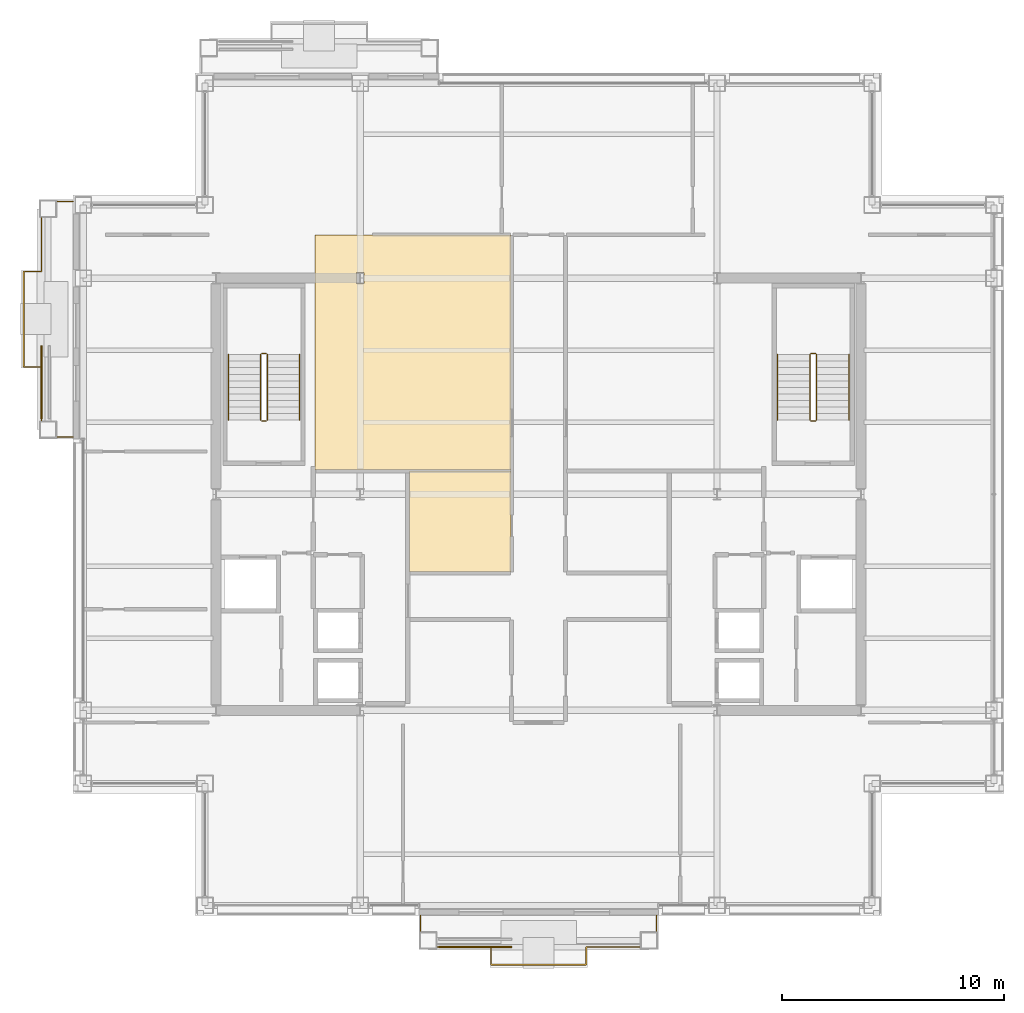
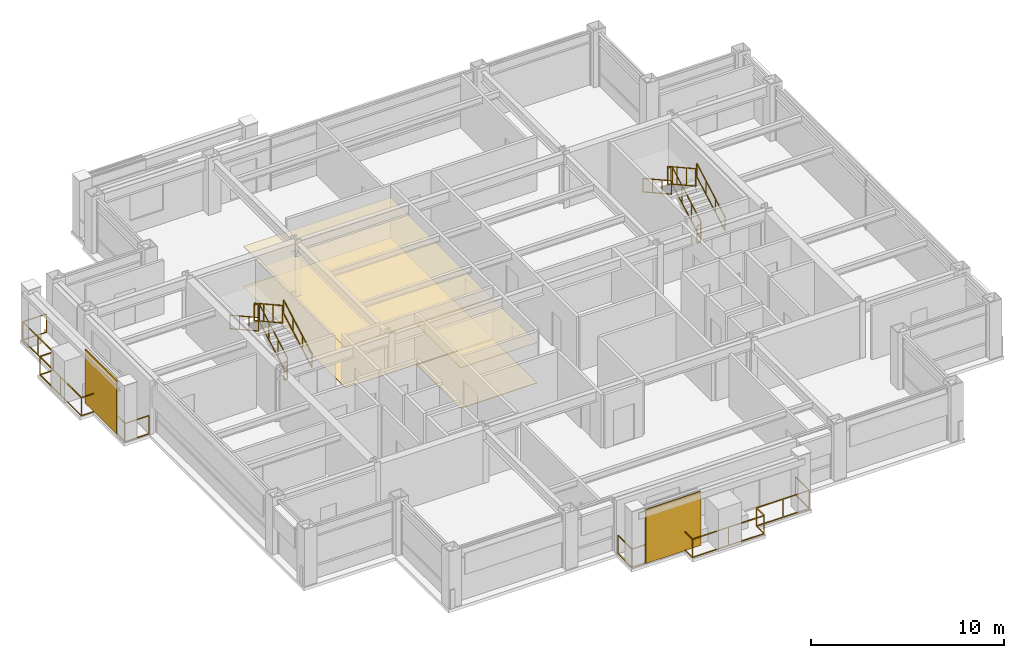
# One storey, part 29 of 31: 14 railings, 4 coverings, 2 shading devices.
"""IFC4 building model written with IfcOpenShell, lengths in metres."""

from ifc_helpers import new_model, si_unit, direction, frame, origin, origin_2d, place, context, subcontext, project, spatial, polyline, rectangle, outline, extrude, material, layer, layer_set, type_object, element, save


model = new_model("IFC4")

# Units and contexts
model_context = context("Model", 3, precision=1e-05, world=origin(), true_north=direction((0.0, 1.0)))
body_context = subcontext(model_context, "Body", "Model", "MODEL_VIEW")
ifc_project = project(units=[si_unit("LENGTHUNIT", "METRE"), si_unit("AREAUNIT", "SQUARE_METRE"), si_unit("VOLUMEUNIT", "CUBIC_METRE"), si_unit("PLANEANGLEUNIT", "RADIAN"), si_unit("MASSUNIT", "GRAM", prefix="KILO")], contexts=[model_context])

# Site, building, storey
site_placement = place(None, origin())
site = spatial("IfcSite", under=ifc_project, at=site_placement, CompositionType="ELEMENT")
building_placement = place(site_placement, origin())
building = spatial("IfcBuilding", under=site, at=building_placement, Name="Brelmoor Portico Tower", CompositionType="ELEMENT")
storey_placement = place(building_placement, frame((0.0, 0.0, 176.699951171875)))
storey = spatial("IfcBuildingStorey", under=building, at=storey_placement, Name="L46", CompositionType="ELEMENT", Elevation=176.699951171875)

# Coverings
ifc_material_1 = material(Name="Powder-Coated Aluminium Acoustic Baffle Ceiling", Category="aluminium")
ifc_layer_1 = layer(ifc_material_1, 0.044921875)
ifc_layer_set_1 = layer_set([ifc_layer_1], Name="Powder-Coated Aluminium Acoustic Baffle Ceiling")
covering_type_1 = type_object("IfcCoveringType", Name="CV-CEIL-BAFFLE-45", PredefinedType="CEILING", material=ifc_layer_set_1)
covering_1_placement = place(storey_placement, frame((0.0, 0.0, 2.550048828125)))
element("IfcCovering", 1, at=covering_1_placement, inside=storey, type_object=covering_type_1, Name="L46 Acoustic Suspended Ceiling 02", PredefinedType="CEILING", context=body_context, shape_type="SweptSolid", body=[
    extrude(outline(polyline([(-5.820068359375, -3.510009765625), (-5.820068359375, 1.0400390625), (-1.239990234375, 1.0400390625), (-1.239990234375, -3.510009765625), (-5.820068359375, -3.510009765625)])), origin(), (0.0, 0.0, 1.0), 0.044921875),
])
ifc_material_2 = material(Name="Micro-Perforated Aluminium Clip-In Ceiling", Category="aluminium")
ifc_layer_2 = layer(ifc_material_2, 0.031982421875)
ifc_layer_set_2 = layer_set([ifc_layer_2], Name="Micro-Perforated Aluminium Clip-In Ceiling")
covering_type_2 = type_object("IfcCoveringType", Name="CV-CEIL-METAL-32", PredefinedType="CEILING", material=ifc_layer_set_2)
covering_2_placement = place(storey_placement, frame((0.0, 0.0, 2.550048828125)))
element("IfcCovering", 2, at=covering_2_placement, inside=storey, type_object=covering_type_2, Name="L46 Acoustic Suspended Ceiling 01", PredefinedType="CEILING", context=body_context, shape_type="SweptSolid", body=[
    extrude(outline(polyline([(-10.080078125, 11.68994140625), (-1.239990234375, 11.68994140625), (-1.239990234375, 1.090087890625), (-10.080078125, 1.090087890625), (-10.080078125, 11.68994140625)]), holes=[polyline([(-7.875, 9.5), (-7.875, 10.0), (-8.22509765625, 10.0), (-8.22509765625, 9.5), (-7.875, 9.5)])]), origin(), (0.0, 0.0, 1.0), 0.031982421875),
])
ifc_material_3 = material(Name="Rectified Vitrified Porcelain Floor Tile", Category="ceramic")
ifc_layer_3 = layer(ifc_material_3, 0.01806640625)
ifc_layer_set_3 = layer_set([ifc_layer_3], Name="Rectified Vitrified Porcelain Floor Tile")
covering_type_3 = type_object("IfcCoveringType", Name="CV-FLR-PORCELAIN-18", PredefinedType="FLOORING", material=ifc_layer_set_3)
covering_3_placement = place(storey_placement, origin())
element("IfcCovering", 3, at=covering_3_placement, inside=storey, type_object=covering_type_3, Name="L46 Architectural Floor Finish 01", PredefinedType="FLOORING", context=body_context, shape_type="SweptSolid", body=[
    extrude(outline(polyline([(-10.080078125, 11.68994140625), (-1.239990234375, 11.68994140625), (-1.239990234375, 1.090087890625), (-10.080078125, 1.090087890625), (-10.080078125, 11.68994140625)]), holes=[polyline([(-7.875, 9.5), (-7.875, 10.0), (-8.22509765625, 10.0), (-8.22509765625, 9.5), (-7.875, 9.5)])]), origin(), (0.0, 0.0, 1.0), 0.01806640625),
])
ifc_material_4 = material(Name="Engineered Quarter-Sawn Oak Parquet Flooring", Category="timber")
ifc_layer_4 = layer(ifc_material_4, 0.02197265625)
ifc_layer_set_4 = layer_set([ifc_layer_4], Name="Engineered Quarter-Sawn Oak Parquet Flooring")
covering_type_4 = type_object("IfcCoveringType", Name="CV-FLR-TIMBER-22", PredefinedType="FLOORING", material=ifc_layer_set_4)
covering_4_placement = place(storey_placement, origin())
element("IfcCovering", 4, at=covering_4_placement, inside=storey, type_object=covering_type_4, Name="L46 Architectural Floor Finish 02", PredefinedType="FLOORING", context=body_context, shape_type="SweptSolid", body=[
    extrude(outline(polyline([(-5.820068359375, -3.510009765625), (-5.820068359375, 1.0400390625), (-1.239990234375, 1.0400390625), (-1.239990234375, -3.510009765625), (-5.820068359375, -3.510009765625)])), origin(), (0.0, 0.0, 1.0), 0.02197265625),
])

# Railings
ifc_material_5 = material(Name="Perforated Pale Champagne Aluminium Fretwork Guard", Category="aluminium")
railing_type_1 = type_object("IfcRailingType", Name="RL-BALUSTRADE-1200", PredefinedType="BALUSTRADE", material=ifc_material_5)
railing_1_placement = place(storey_placement, frame((-5.320068359375, -19.0, 0.0)))
element("IfcRailing", 5, at=railing_1_placement, inside=storey, type_object=railing_type_1, Name="L46 Tree Balcony Fretwork Balustrade S", PredefinedType="BALUSTRADE", context=body_context, shape_type="SweptSolid", body=[
    extrude(rectangle(XDim=0.048095703125, YDim=0.048095703125, at=origin_2d()), frame((0.0, 0.0, 1.17578125), z_axis=(0.0, -1.0, 0.0), x_axis=(1.0, 0.0, 0.0)), (0.0, 0.0, 1.0), 1.429931640625),
    extrude(rectangle(XDim=0.048095703125, YDim=0.048095703125, at=origin_2d()), frame((0.0, 0.0, 0.02392578125), z_axis=(0.0, -1.0, 0.0), x_axis=(1.0, 0.0, 0.0)), (0.0, 0.0, 1.0), 1.429931640625),
    extrude(rectangle(XDim=0.048095703125, YDim=0.048095703125, at=origin_2d()), frame((0.0, -1.429931640625, 1.17578125), z_axis=(1.0, 0.0, 0.0), x_axis=(0.0, 1.0, 0.0)), (0.0, 0.0, 1.0), 3.170166015625),
    extrude(rectangle(XDim=0.048095703125, YDim=0.048095703125, at=origin_2d()), frame((0.0, -1.429931640625, 0.02392578125), z_axis=(1.0, 0.0, 0.0), x_axis=(0.0, 1.0, 0.0)), (0.0, 0.0, 1.0), 3.170166015625),
    extrude(rectangle(XDim=0.048095703125, YDim=0.048095703125, at=origin_2d()), frame((3.170166015625, -1.429931640625, 1.17578125), z_axis=(0.0, -1.0, 0.0), x_axis=(1.0, 0.0, 0.0)), (0.0, 0.0, 1.0), 0.800048828125),
    extrude(rectangle(XDim=0.048095703125, YDim=0.048095703125, at=origin_2d()), frame((3.170166015625, -1.429931640625, 0.02392578125), z_axis=(0.0, -1.0, 0.0), x_axis=(1.0, 0.0, 0.0)), (0.0, 0.0, 1.0), 0.800048828125),
    extrude(rectangle(XDim=0.048095703125, YDim=0.048095703125, at=origin_2d()), frame((3.170166015625, -2.22998046875, 1.17578125), z_axis=(1.0, 0.0, 0.0), x_axis=(0.0, 1.0, 0.0)), (0.0, 0.0, 1.0), 4.2998046875),
    extrude(rectangle(XDim=0.048095703125, YDim=0.048095703125, at=origin_2d()), frame((3.170166015625, -2.22998046875, 0.02392578125), z_axis=(1.0, 0.0, 0.0), x_axis=(0.0, 1.0, 0.0)), (0.0, 0.0, 1.0), 4.2998046875),
    extrude(rectangle(XDim=0.048095703125, YDim=0.048095703125, at=origin_2d()), frame((7.469970703125, -2.22998046875, 1.17578125), z_axis=(0.0, 1.0, 0.0), x_axis=(-1.0, 0.0, 0.0)), (0.0, 0.0, 1.0), 0.800048828125),
    extrude(rectangle(XDim=0.048095703125, YDim=0.048095703125, at=origin_2d()), frame((7.469970703125, -2.22998046875, 0.02392578125), z_axis=(0.0, 1.0, 0.0), x_axis=(-1.0, 0.0, 0.0)), (0.0, 0.0, 1.0), 0.800048828125),
    extrude(rectangle(XDim=0.048095703125, YDim=0.048095703125, at=origin_2d()), frame((7.469970703125, -1.429931640625, 1.17578125), z_axis=(1.0, 0.0, 0.0), x_axis=(0.0, 1.0, 0.0)), (0.0, 0.0, 1.0), 3.170166015625),
    extrude(rectangle(XDim=0.048095703125, YDim=0.048095703125, at=origin_2d()), frame((7.469970703125, -1.429931640625, 0.02392578125), z_axis=(1.0, 0.0, 0.0), x_axis=(0.0, 1.0, 0.0)), (0.0, 0.0, 1.0), 3.170166015625),
    extrude(rectangle(XDim=0.048095703125, YDim=0.048095703125, at=origin_2d()), frame((10.64013671875, -1.429931640625, 1.17578125), z_axis=(0.0, 1.0, 0.0), x_axis=(-1.0, 0.0, 0.0)), (0.0, 0.0, 1.0), 1.429931640625),
    extrude(rectangle(XDim=0.048095703125, YDim=0.048095703125, at=origin_2d()), frame((10.64013671875, -1.429931640625, 0.02392578125), z_axis=(0.0, 1.0, 0.0), x_axis=(-1.0, 0.0, 0.0)), (0.0, 0.0, 1.0), 1.429931640625),
    extrude(rectangle(XDim=0.0419921875, YDim=0.0419921875, at=origin_2d()), origin(), (0.0, 0.0, 1.0), 1.15185546875),
    extrude(rectangle(XDim=0.0419921875, YDim=0.0419921875, at=origin_2d()), frame((0.0, -1.429931640625, 0.0)), (0.0, 0.0, 1.0), 1.15185546875),
    extrude(rectangle(XDim=0.0419921875, YDim=0.0419921875, at=origin_2d()), frame((1.5849609375, -1.429931640625, 0.0)), (0.0, 0.0, 1.0), 1.15185546875),
    extrude(rectangle(XDim=0.0419921875, YDim=0.0419921875, at=origin_2d()), frame((3.170166015625, -1.429931640625, 0.0)), (0.0, 0.0, 1.0), 1.15185546875),
    extrude(rectangle(XDim=0.0419921875, YDim=0.0419921875, at=origin_2d()), frame((3.170166015625, -2.22998046875, 0.0)), (0.0, 0.0, 1.0), 1.15185546875),
    extrude(rectangle(XDim=0.0419921875, YDim=0.0419921875, at=origin_2d()), frame((5.320068359375, -2.22998046875, 0.0)), (0.0, 0.0, 1.0), 1.15185546875),
    extrude(rectangle(XDim=0.0419921875, YDim=0.0419921875, at=origin_2d()), frame((7.469970703125, -2.22998046875, 0.0)), (0.0, 0.0, 1.0), 1.15185546875),
    extrude(rectangle(XDim=0.0419921875, YDim=0.0419921875, at=origin_2d()), frame((7.469970703125, -1.429931640625, 0.0)), (0.0, 0.0, 1.0), 1.15185546875),
    extrude(rectangle(XDim=0.0419921875, YDim=0.0419921875, at=origin_2d()), frame((9.05517578125, -1.429931640625, 0.0)), (0.0, 0.0, 1.0), 1.15185546875),
    extrude(rectangle(XDim=0.0419921875, YDim=0.0419921875, at=origin_2d()), frame((10.64013671875, -1.429931640625, 0.0)), (0.0, 0.0, 1.0), 1.15185546875),
    extrude(rectangle(XDim=0.0419921875, YDim=0.0419921875, at=origin_2d()), frame((10.64013671875, 0.0, 0.0)), (0.0, 0.0, 1.0), 1.15185546875),
])
railing_2_placement = place(storey_placement, frame((-21.0, 2.580078125, 0.0)))
element("IfcRailing", 6, at=railing_2_placement, inside=storey, type_object=railing_type_1, Name="L46 Tree Balcony Fretwork Balustrade W", PredefinedType="BALUSTRADE", context=body_context, shape_type="SweptSolid", body=[
    extrude(rectangle(XDim=0.048095703125, YDim=0.048095703125, at=origin_2d()), frame((0.0, 0.0, 1.17578125), z_axis=(-1.0, 0.0, 0.0), x_axis=(0.0, -1.0, 0.0)), (0.0, 0.0, 1.0), 1.429931640625),
    extrude(rectangle(XDim=0.048095703125, YDim=0.048095703125, at=origin_2d()), frame((0.0, 0.0, 0.02392578125), z_axis=(-1.0, 0.0, 0.0), x_axis=(0.0, -1.0, 0.0)), (0.0, 0.0, 1.0), 1.429931640625),
    extrude(rectangle(XDim=0.048095703125, YDim=0.048095703125, at=origin_2d()), frame((-1.429931640625, 0.0, 1.17578125), z_axis=(0.0, 1.0, 0.0), x_axis=(-1.0, 0.0, 0.0)), (0.0, 0.0, 1.0), 3.169921875),
    extrude(rectangle(XDim=0.048095703125, YDim=0.048095703125, at=origin_2d()), frame((-1.429931640625, 0.0, 0.02392578125), z_axis=(0.0, 1.0, 0.0), x_axis=(-1.0, 0.0, 0.0)), (0.0, 0.0, 1.0), 3.169921875),
    extrude(rectangle(XDim=0.048095703125, YDim=0.048095703125, at=origin_2d()), frame((-1.429931640625, 3.169921875, 1.17578125), z_axis=(-1.0, 0.0, 0.0), x_axis=(0.0, -1.0, 0.0)), (0.0, 0.0, 1.0), 0.800048828125),
    extrude(rectangle(XDim=0.048095703125, YDim=0.048095703125, at=origin_2d()), frame((-1.429931640625, 3.169921875, 0.02392578125), z_axis=(-1.0, 0.0, 0.0), x_axis=(0.0, -1.0, 0.0)), (0.0, 0.0, 1.0), 0.800048828125),
    extrude(rectangle(XDim=0.048095703125, YDim=0.048095703125, at=origin_2d()), frame((-2.22998046875, 3.169921875, 1.17578125), z_axis=(0.0, 1.0, 0.0), x_axis=(-1.0, 0.0, 0.0)), (0.0, 0.0, 1.0), 4.300048828125),
    extrude(rectangle(XDim=0.048095703125, YDim=0.048095703125, at=origin_2d()), frame((-2.22998046875, 3.169921875, 0.02392578125), z_axis=(0.0, 1.0, 0.0), x_axis=(-1.0, 0.0, 0.0)), (0.0, 0.0, 1.0), 4.300048828125),
    extrude(rectangle(XDim=0.048095703125, YDim=0.048095703125, at=origin_2d()), frame((-2.22998046875, 7.469970703125, 1.17578125), z_axis=(1.0, 0.0, 0.0), x_axis=(0.0, 1.0, 0.0)), (0.0, 0.0, 1.0), 0.800048828125),
    extrude(rectangle(XDim=0.048095703125, YDim=0.048095703125, at=origin_2d()), frame((-2.22998046875, 7.469970703125, 0.02392578125), z_axis=(1.0, 0.0, 0.0), x_axis=(0.0, 1.0, 0.0)), (0.0, 0.0, 1.0), 0.800048828125),
    extrude(rectangle(XDim=0.048095703125, YDim=0.048095703125, at=origin_2d()), frame((-1.429931640625, 7.469970703125, 1.17578125), z_axis=(0.0, 1.0, 0.0), x_axis=(-1.0, 0.0, 0.0)), (0.0, 0.0, 1.0), 3.169921875),
    extrude(rectangle(XDim=0.048095703125, YDim=0.048095703125, at=origin_2d()), frame((-1.429931640625, 7.469970703125, 0.02392578125), z_axis=(0.0, 1.0, 0.0), x_axis=(-1.0, 0.0, 0.0)), (0.0, 0.0, 1.0), 3.169921875),
    extrude(rectangle(XDim=0.048095703125, YDim=0.048095703125, at=origin_2d()), frame((-1.429931640625, 10.639892578125, 1.17578125), z_axis=(1.0, 0.0, 0.0), x_axis=(0.0, 1.0, 0.0)), (0.0, 0.0, 1.0), 1.429931640625),
    extrude(rectangle(XDim=0.048095703125, YDim=0.048095703125, at=origin_2d()), frame((-1.429931640625, 10.639892578125, 0.02392578125), z_axis=(1.0, 0.0, 0.0), x_axis=(0.0, 1.0, 0.0)), (0.0, 0.0, 1.0), 1.429931640625),
    extrude(rectangle(XDim=0.0419921875, YDim=0.0419921875, at=origin_2d()), origin(), (0.0, 0.0, 1.0), 1.15185546875),
    extrude(rectangle(XDim=0.0419921875, YDim=0.0419921875, at=origin_2d()), frame((-1.429931640625, 0.0, 0.0)), (0.0, 0.0, 1.0), 1.15185546875),
    extrude(rectangle(XDim=0.0419921875, YDim=0.0419921875, at=origin_2d()), frame((-1.429931640625, 1.5849609375, 0.0)), (0.0, 0.0, 1.0), 1.15185546875),
    extrude(rectangle(XDim=0.0419921875, YDim=0.0419921875, at=origin_2d()), frame((-1.429931640625, 3.169921875, 0.0)), (0.0, 0.0, 1.0), 1.15185546875),
    extrude(rectangle(XDim=0.0419921875, YDim=0.0419921875, at=origin_2d()), frame((-2.22998046875, 3.169921875, 0.0)), (0.0, 0.0, 1.0), 1.15185546875),
    extrude(rectangle(XDim=0.0419921875, YDim=0.0419921875, at=origin_2d()), frame((-2.22998046875, 5.31982421875, 0.0)), (0.0, 0.0, 1.0), 1.15185546875),
    extrude(rectangle(XDim=0.0419921875, YDim=0.0419921875, at=origin_2d()), frame((-2.22998046875, 7.469970703125, 0.0)), (0.0, 0.0, 1.0), 1.15185546875),
    extrude(rectangle(XDim=0.0419921875, YDim=0.0419921875, at=origin_2d()), frame((-1.429931640625, 7.469970703125, 0.0)), (0.0, 0.0, 1.0), 1.15185546875),
    extrude(rectangle(XDim=0.0419921875, YDim=0.0419921875, at=origin_2d()), frame((-1.429931640625, 9.054931640625, 0.0)), (0.0, 0.0, 1.0), 1.15185546875),
    extrude(rectangle(XDim=0.0419921875, YDim=0.0419921875, at=origin_2d()), frame((-1.429931640625, 10.639892578125, 0.0)), (0.0, 0.0, 1.0), 1.15185546875),
    extrude(rectangle(XDim=0.0419921875, YDim=0.0419921875, at=origin_2d()), frame((0.0, 10.639892578125, 0.0)), (0.0, 0.0, 1.0), 1.15185546875),
])
ifc_material_6 = material(Name="Painted Tubular Steel Q235B", Category="steel")
railing_type_2 = type_object("IfcRailingType", Name="RL-STAIR-GUARD", PredefinedType="GUARDRAIL", material=ifc_material_6)
railing_3_placement = place(storey_placement, frame((-12.239990234375, 3.35009765625, 0.16357421875)))
element("IfcRailing", 7, at=railing_3_placement, inside=storey, type_object=railing_type_2, Name="L46 ST-W stair guard 1", PredefinedType="GUARDRAIL", context=body_context, shape_type="SweptSolid", body=[
    extrude(rectangle(XDim=0.048095703125, YDim=0.048095703125, at=origin_2d()), frame((0.0, 0.0, 1.1259765625), z_axis=(0.0, 0.874457516365, 0.485102104791), x_axis=(-1.0, 0.0, 0.0)), (0.0, 0.0, 1.0), 3.37353515625),
    extrude(rectangle(XDim=0.048095703125, YDim=0.048095703125, at=origin_2d()), frame((0.0, 0.0, 0.02392578125), z_axis=(0.0, 0.874457516365, 0.485102104791), x_axis=(-1.0, 0.0, 0.0)), (0.0, 0.0, 1.0), 3.37353515625),
    extrude(rectangle(XDim=0.0419921875, YDim=0.0419921875, at=origin_2d()), origin(), (0.0, 0.0, 1.0), 1.101806640625),
    extrude(rectangle(XDim=0.0419921875, YDim=0.0419921875, at=origin_2d()), frame((0.0, 0.9833984375, 0.54541015625)), (0.0, 0.0, 1.0), 1.101806640625),
    extrude(rectangle(XDim=0.0419921875, YDim=0.0419921875, at=origin_2d()), frame((0.0, 1.966552734375, 1.091064453125)), (0.0, 0.0, 1.0), 1.101806640625),
    extrude(rectangle(XDim=0.0419921875, YDim=0.0419921875, at=origin_2d()), frame((0.0, 2.949951171875, 1.636474609375)), (0.0, 0.0, 1.0), 1.101806640625),
])
railing_4_placement = place(storey_placement, frame((-12.2900390625, 6.35009765625, 1.800048828125)))
element("IfcRailing", 8, at=railing_4_placement, inside=storey, type_object=railing_type_2, Name="L46 ST-W stair guard 2", PredefinedType="GUARDRAIL", context=body_context, shape_type="SweptSolid", body=[
    extrude(rectangle(XDim=0.048095703125, YDim=0.048095703125, at=origin_2d()), frame((0.0, 0.0, 1.1259765625), z_axis=(-1.0, 0.0, 0.0), x_axis=(0.0, -1.0, 0.0)), (0.0, 0.0, 1.0), 0.199951171875),
    extrude(rectangle(XDim=0.048095703125, YDim=0.048095703125, at=origin_2d()), frame((0.0, 0.0, 0.02392578125), z_axis=(-1.0, 0.0, 0.0), x_axis=(0.0, -1.0, 0.0)), (0.0, 0.0, 1.0), 0.199951171875),
    extrude(rectangle(XDim=0.0419921875, YDim=0.0419921875, at=origin_2d()), origin(), (0.0, 0.0, 1.0), 1.101806640625),
    extrude(rectangle(XDim=0.0419921875, YDim=0.0419921875, at=origin_2d()), frame((-0.199951171875, 0.0, 0.0)), (0.0, 0.0, 1.0), 1.101806640625),
])
railing_5_placement = place(storey_placement, frame((-12.5400390625, 6.300048828125, 1.963623046875)))
element("IfcRailing", 9, at=railing_5_placement, inside=storey, type_object=railing_type_2, Name="L46 ST-W stair guard 3", PredefinedType="GUARDRAIL", context=body_context, shape_type="SweptSolid", body=[
    extrude(rectangle(XDim=0.048095703125, YDim=0.048095703125, at=origin_2d()), frame((0.0, 0.0, 1.1259765625), z_axis=(0.0, -0.874457516365, 0.485102104791), x_axis=(1.0, 0.0, 0.0)), (0.0, 0.0, 1.0), 3.37353515625),
    extrude(rectangle(XDim=0.048095703125, YDim=0.048095703125, at=origin_2d()), frame((0.0, 0.0, 0.02392578125), z_axis=(0.0, -0.874457516365, 0.485102104791), x_axis=(1.0, 0.0, 0.0)), (0.0, 0.0, 1.0), 3.37353515625),
    extrude(rectangle(XDim=0.0419921875, YDim=0.0419921875, at=origin_2d()), origin(), (0.0, 0.0, 1.0), 1.101806640625),
    extrude(rectangle(XDim=0.0419921875, YDim=0.0419921875, at=origin_2d()), frame((0.0, -0.9833984375, 0.54541015625)), (0.0, 0.0, 1.0), 1.101806640625),
    extrude(rectangle(XDim=0.0419921875, YDim=0.0419921875, at=origin_2d()), frame((0.0, -1.966552734375, 1.091064453125)), (0.0, 0.0, 1.0), 1.101806640625),
    extrude(rectangle(XDim=0.0419921875, YDim=0.0419921875, at=origin_2d()), frame((0.0, -2.949951171875, 1.636474609375)), (0.0, 0.0, 1.0), 1.101806640625),
])
railing_6_placement = place(storey_placement, frame((-12.2900390625, 3.300048828125, 0.0)))
element("IfcRailing", 10, at=railing_6_placement, inside=storey, type_object=railing_type_2, Name="L46 ST-W stair guard 4", PredefinedType="GUARDRAIL", context=body_context, shape_type="SweptSolid", body=[
    extrude(rectangle(XDim=0.048095703125, YDim=0.048095703125, at=origin_2d()), frame((0.0, 0.0, 1.1259765625), z_axis=(-1.0, 0.0, 0.0), x_axis=(0.0, -1.0, 0.0)), (0.0, 0.0, 1.0), 0.199951171875),
    extrude(rectangle(XDim=0.048095703125, YDim=0.048095703125, at=origin_2d()), frame((0.0, 0.0, 0.02392578125), z_axis=(-1.0, 0.0, 0.0), x_axis=(0.0, -1.0, 0.0)), (0.0, 0.0, 1.0), 0.199951171875),
    extrude(rectangle(XDim=0.0419921875, YDim=0.0419921875, at=origin_2d()), origin(), (0.0, 0.0, 1.0), 1.101806640625),
    extrude(rectangle(XDim=0.0419921875, YDim=0.0419921875, at=origin_2d()), frame((-0.199951171875, 0.0, 0.0)), (0.0, 0.0, 1.0), 1.101806640625),
])
railing_7_placement = place(storey_placement, frame((12.5400390625, 3.35009765625, 0.16357421875)))
element("IfcRailing", 11, at=railing_7_placement, inside=storey, type_object=railing_type_2, Name="L46 ST-E stair guard 1", PredefinedType="GUARDRAIL", context=body_context, shape_type="SweptSolid", body=[
    extrude(rectangle(XDim=0.048095703125, YDim=0.048095703125, at=origin_2d()), frame((0.0, 0.0, 1.1259765625), z_axis=(0.0, 0.874457516365, 0.485102104791), x_axis=(-1.0, 0.0, 0.0)), (0.0, 0.0, 1.0), 3.37353515625),
    extrude(rectangle(XDim=0.048095703125, YDim=0.048095703125, at=origin_2d()), frame((0.0, 0.0, 0.02392578125), z_axis=(0.0, 0.874457516365, 0.485102104791), x_axis=(-1.0, 0.0, 0.0)), (0.0, 0.0, 1.0), 3.37353515625),
    extrude(rectangle(XDim=0.0419921875, YDim=0.0419921875, at=origin_2d()), origin(), (0.0, 0.0, 1.0), 1.101806640625),
    extrude(rectangle(XDim=0.0419921875, YDim=0.0419921875, at=origin_2d()), frame((0.0, 0.9833984375, 0.54541015625)), (0.0, 0.0, 1.0), 1.101806640625),
    extrude(rectangle(XDim=0.0419921875, YDim=0.0419921875, at=origin_2d()), frame((0.0, 1.966552734375, 1.091064453125)), (0.0, 0.0, 1.0), 1.101806640625),
    extrude(rectangle(XDim=0.0419921875, YDim=0.0419921875, at=origin_2d()), frame((0.0, 2.949951171875, 1.636474609375)), (0.0, 0.0, 1.0), 1.101806640625),
])
railing_8_placement = place(storey_placement, frame((12.489990234375, 6.35009765625, 1.800048828125)))
element("IfcRailing", 12, at=railing_8_placement, inside=storey, type_object=railing_type_2, Name="L46 ST-E stair guard 2", PredefinedType="GUARDRAIL", context=body_context, shape_type="SweptSolid", body=[
    extrude(rectangle(XDim=0.048095703125, YDim=0.048095703125, at=origin_2d()), frame((0.0, 0.0, 1.1259765625), z_axis=(-1.0, 0.0, 0.0), x_axis=(0.0, -1.0, 0.0)), (0.0, 0.0, 1.0), 0.199951171875),
    extrude(rectangle(XDim=0.048095703125, YDim=0.048095703125, at=origin_2d()), frame((0.0, 0.0, 0.02392578125), z_axis=(-1.0, 0.0, 0.0), x_axis=(0.0, -1.0, 0.0)), (0.0, 0.0, 1.0), 0.199951171875),
    extrude(rectangle(XDim=0.0419921875, YDim=0.0419921875, at=origin_2d()), origin(), (0.0, 0.0, 1.0), 1.101806640625),
    extrude(rectangle(XDim=0.0419921875, YDim=0.0419921875, at=origin_2d()), frame((-0.199951171875, 0.0, 0.0)), (0.0, 0.0, 1.0), 1.101806640625),
])
railing_9_placement = place(storey_placement, frame((12.239990234375, 6.300048828125, 1.963623046875)))
element("IfcRailing", 13, at=railing_9_placement, inside=storey, type_object=railing_type_2, Name="L46 ST-E stair guard 3", PredefinedType="GUARDRAIL", context=body_context, shape_type="SweptSolid", body=[
    extrude(rectangle(XDim=0.048095703125, YDim=0.048095703125, at=origin_2d()), frame((0.0, 0.0, 1.1259765625), z_axis=(0.0, -0.874457516365, 0.485102104791), x_axis=(1.0, 0.0, 0.0)), (0.0, 0.0, 1.0), 3.37353515625),
    extrude(rectangle(XDim=0.048095703125, YDim=0.048095703125, at=origin_2d()), frame((0.0, 0.0, 0.02392578125), z_axis=(0.0, -0.874457516365, 0.485102104791), x_axis=(1.0, 0.0, 0.0)), (0.0, 0.0, 1.0), 3.37353515625),
    extrude(rectangle(XDim=0.0419921875, YDim=0.0419921875, at=origin_2d()), origin(), (0.0, 0.0, 1.0), 1.101806640625),
    extrude(rectangle(XDim=0.0419921875, YDim=0.0419921875, at=origin_2d()), frame((0.0, -0.9833984375, 0.54541015625)), (0.0, 0.0, 1.0), 1.101806640625),
    extrude(rectangle(XDim=0.0419921875, YDim=0.0419921875, at=origin_2d()), frame((0.0, -1.966552734375, 1.091064453125)), (0.0, 0.0, 1.0), 1.101806640625),
    extrude(rectangle(XDim=0.0419921875, YDim=0.0419921875, at=origin_2d()), frame((0.0, -2.949951171875, 1.636474609375)), (0.0, 0.0, 1.0), 1.101806640625),
])
railing_10_placement = place(storey_placement, frame((12.489990234375, 3.300048828125, 0.0)))
element("IfcRailing", 14, at=railing_10_placement, inside=storey, type_object=railing_type_2, Name="L46 ST-E stair guard 4", PredefinedType="GUARDRAIL", context=body_context, shape_type="SweptSolid", body=[
    extrude(rectangle(XDim=0.048095703125, YDim=0.048095703125, at=origin_2d()), frame((0.0, 0.0, 1.1259765625), z_axis=(-1.0, 0.0, 0.0), x_axis=(0.0, -1.0, 0.0)), (0.0, 0.0, 1.0), 0.199951171875),
    extrude(rectangle(XDim=0.048095703125, YDim=0.048095703125, at=origin_2d()), frame((0.0, 0.0, 0.02392578125), z_axis=(-1.0, 0.0, 0.0), x_axis=(0.0, -1.0, 0.0)), (0.0, 0.0, 1.0), 0.199951171875),
    extrude(rectangle(XDim=0.0419921875, YDim=0.0419921875, at=origin_2d()), origin(), (0.0, 0.0, 1.0), 1.101806640625),
    extrude(rectangle(XDim=0.0419921875, YDim=0.0419921875, at=origin_2d()), frame((-0.199951171875, 0.0, 0.0)), (0.0, 0.0, 1.0), 1.101806640625),
])
ifc_material_7 = material(Name="Brushed Stainless Steel 304", Category="steel")
railing_type_3 = type_object("IfcRailingType", Name="RL-STAIR-HANDRAIL", PredefinedType="HANDRAIL", material=ifc_material_7)
railing_11_placement = place(storey_placement, frame((-10.780029296875, 3.35009765625, 0.16357421875)))
element("IfcRailing", 15, at=railing_11_placement, inside=storey, type_object=railing_type_3, Name="L46 ST-W stair handrail 1", PredefinedType="HANDRAIL", context=body_context, shape_type="SweptSolid", body=[
    extrude(rectangle(XDim=0.048095703125, YDim=0.048095703125, at=origin_2d()), frame((0.0, 0.0, 0.8759765625), z_axis=(0.0, 0.874457516365, 0.485102104791), x_axis=(-1.0, 0.0, 0.0)), (0.0, 0.0, 1.0), 3.37353515625),
    extrude(rectangle(XDim=0.048095703125, YDim=0.048095703125, at=origin_2d()), frame((0.0, 0.0, 0.02392578125), z_axis=(0.0, 0.874457516365, 0.485102104791), x_axis=(-1.0, 0.0, 0.0)), (0.0, 0.0, 1.0), 3.37353515625),
    extrude(rectangle(XDim=0.0419921875, YDim=0.0419921875, at=origin_2d()), origin(), (0.0, 0.0, 1.0), 0.851806640625),
    extrude(rectangle(XDim=0.0419921875, YDim=0.0419921875, at=origin_2d()), frame((0.0, 0.9833984375, 0.54541015625)), (0.0, 0.0, 1.0), 0.851806640625),
    extrude(rectangle(XDim=0.0419921875, YDim=0.0419921875, at=origin_2d()), frame((0.0, 1.966552734375, 1.091064453125)), (0.0, 0.0, 1.0), 0.851806640625),
    extrude(rectangle(XDim=0.0419921875, YDim=0.0419921875, at=origin_2d()), frame((0.0, 2.949951171875, 1.636474609375)), (0.0, 0.0, 1.0), 0.851806640625),
])
railing_12_placement = place(storey_placement, frame((-14.0, 6.300048828125, 1.963623046875)))
element("IfcRailing", 16, at=railing_12_placement, inside=storey, type_object=railing_type_3, Name="L46 ST-W stair handrail 2", PredefinedType="HANDRAIL", context=body_context, shape_type="SweptSolid", body=[
    extrude(rectangle(XDim=0.048095703125, YDim=0.048095703125, at=origin_2d()), frame((0.0, 0.0, 0.8759765625), z_axis=(0.0, -0.874457516365, 0.485102104791), x_axis=(1.0, 0.0, 0.0)), (0.0, 0.0, 1.0), 3.37353515625),
    extrude(rectangle(XDim=0.048095703125, YDim=0.048095703125, at=origin_2d()), frame((0.0, 0.0, 0.02392578125), z_axis=(0.0, -0.874457516365, 0.485102104791), x_axis=(1.0, 0.0, 0.0)), (0.0, 0.0, 1.0), 3.37353515625),
    extrude(rectangle(XDim=0.0419921875, YDim=0.0419921875, at=origin_2d()), origin(), (0.0, 0.0, 1.0), 0.851806640625),
    extrude(rectangle(XDim=0.0419921875, YDim=0.0419921875, at=origin_2d()), frame((0.0, -0.9833984375, 0.54541015625)), (0.0, 0.0, 1.0), 0.851806640625),
    extrude(rectangle(XDim=0.0419921875, YDim=0.0419921875, at=origin_2d()), frame((0.0, -1.966552734375, 1.091064453125)), (0.0, 0.0, 1.0), 0.851806640625),
    extrude(rectangle(XDim=0.0419921875, YDim=0.0419921875, at=origin_2d()), frame((0.0, -2.949951171875, 1.636474609375)), (0.0, 0.0, 1.0), 0.851806640625),
])
railing_13_placement = place(storey_placement, frame((14.0, 3.35009765625, 0.16357421875)))
element("IfcRailing", 17, at=railing_13_placement, inside=storey, type_object=railing_type_3, Name="L46 ST-E stair handrail 1", PredefinedType="HANDRAIL", context=body_context, shape_type="SweptSolid", body=[
    extrude(rectangle(XDim=0.048095703125, YDim=0.048095703125, at=origin_2d()), frame((0.0, 0.0, 0.8759765625), z_axis=(0.0, 0.874457516365, 0.485102104791), x_axis=(-1.0, 0.0, 0.0)), (0.0, 0.0, 1.0), 3.37353515625),
    extrude(rectangle(XDim=0.048095703125, YDim=0.048095703125, at=origin_2d()), frame((0.0, 0.0, 0.02392578125), z_axis=(0.0, 0.874457516365, 0.485102104791), x_axis=(-1.0, 0.0, 0.0)), (0.0, 0.0, 1.0), 3.37353515625),
    extrude(rectangle(XDim=0.0419921875, YDim=0.0419921875, at=origin_2d()), origin(), (0.0, 0.0, 1.0), 0.851806640625),
    extrude(rectangle(XDim=0.0419921875, YDim=0.0419921875, at=origin_2d()), frame((0.0, 0.9833984375, 0.54541015625)), (0.0, 0.0, 1.0), 0.851806640625),
    extrude(rectangle(XDim=0.0419921875, YDim=0.0419921875, at=origin_2d()), frame((0.0, 1.966552734375, 1.091064453125)), (0.0, 0.0, 1.0), 0.851806640625),
    extrude(rectangle(XDim=0.0419921875, YDim=0.0419921875, at=origin_2d()), frame((0.0, 2.949951171875, 1.636474609375)), (0.0, 0.0, 1.0), 0.851806640625),
])
railing_14_placement = place(storey_placement, frame((10.780029296875, 6.300048828125, 1.963623046875)))
element("IfcRailing", 18, at=railing_14_placement, inside=storey, type_object=railing_type_3, Name="L46 ST-E stair handrail 2", PredefinedType="HANDRAIL", context=body_context, shape_type="SweptSolid", body=[
    extrude(rectangle(XDim=0.048095703125, YDim=0.048095703125, at=origin_2d()), frame((0.0, 0.0, 0.8759765625), z_axis=(0.0, -0.874457516365, 0.485102104791), x_axis=(1.0, 0.0, 0.0)), (0.0, 0.0, 1.0), 3.37353515625),
    extrude(rectangle(XDim=0.048095703125, YDim=0.048095703125, at=origin_2d()), frame((0.0, 0.0, 0.02392578125), z_axis=(0.0, -0.874457516365, 0.485102104791), x_axis=(1.0, 0.0, 0.0)), (0.0, 0.0, 1.0), 3.37353515625),
    extrude(rectangle(XDim=0.0419921875, YDim=0.0419921875, at=origin_2d()), origin(), (0.0, 0.0, 1.0), 0.851806640625),
    extrude(rectangle(XDim=0.0419921875, YDim=0.0419921875, at=origin_2d()), frame((0.0, -0.9833984375, 0.54541015625)), (0.0, 0.0, 1.0), 0.851806640625),
    extrude(rectangle(XDim=0.0419921875, YDim=0.0419921875, at=origin_2d()), frame((0.0, -1.966552734375, 1.091064453125)), (0.0, 0.0, 1.0), 0.851806640625),
    extrude(rectangle(XDim=0.0419921875, YDim=0.0419921875, at=origin_2d()), frame((0.0, -2.949951171875, 1.636474609375)), (0.0, 0.0, 1.0), 0.851806640625),
])

# Shading devices
ifc_material_8 = material(Name="Powder-Coated Aluminium Shuttered Jalousie", Category="aluminium")
ifc_layer_5 = layer(ifc_material_8, 0.080078125)
ifc_layer_set_5 = layer_set([ifc_layer_5], Name="Powder-Coated Aluminium Shuttered Jalousie")
shading_device_type = type_object("IfcShadingDeviceType", Name="SD-JALOUSIE-LOGGIA", PredefinedType="JALOUSIE", material=ifc_layer_set_5)
for number, where, z_axis, x_axis, name in (
    (19, (-2.85009765625, -20.429931640625, 0.0), (0.0, 0.0, 1.0), (1.0, 0.0, 0.0), "L46 Loggia Shuttered Jalousie S"),
    (20, (-22.429931640625, 5.050048828125, 0.0), (0.0, 0.0, 1.0), (0.0, 1.0, 0.0), "L46 Loggia Shuttered Jalousie W"),
):
    element("IfcShadingDevice", number, at=place(storey_placement, frame(where, z_axis=z_axis, x_axis=x_axis)), inside=storey, type_object=shading_device_type, Name=name, PredefinedType="JALOUSIE", context=body_context, shape_type="SweptSolid", body=[
        extrude(rectangle(XDim=3.300048828125, YDim=0.080078125, at=origin_2d()), origin(), (0.0, 0.0, 1.0), 3.39990234375),
    ])

save(model, "model.ifc")
